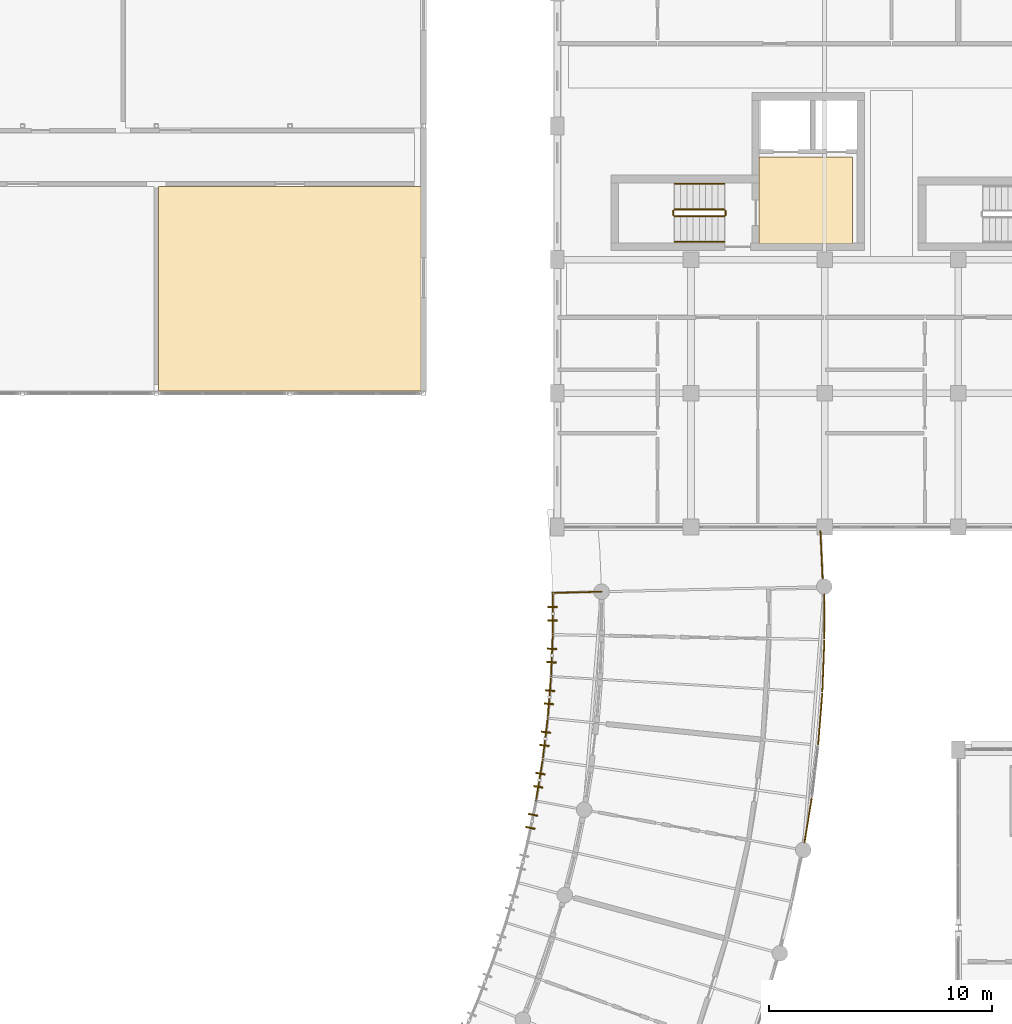
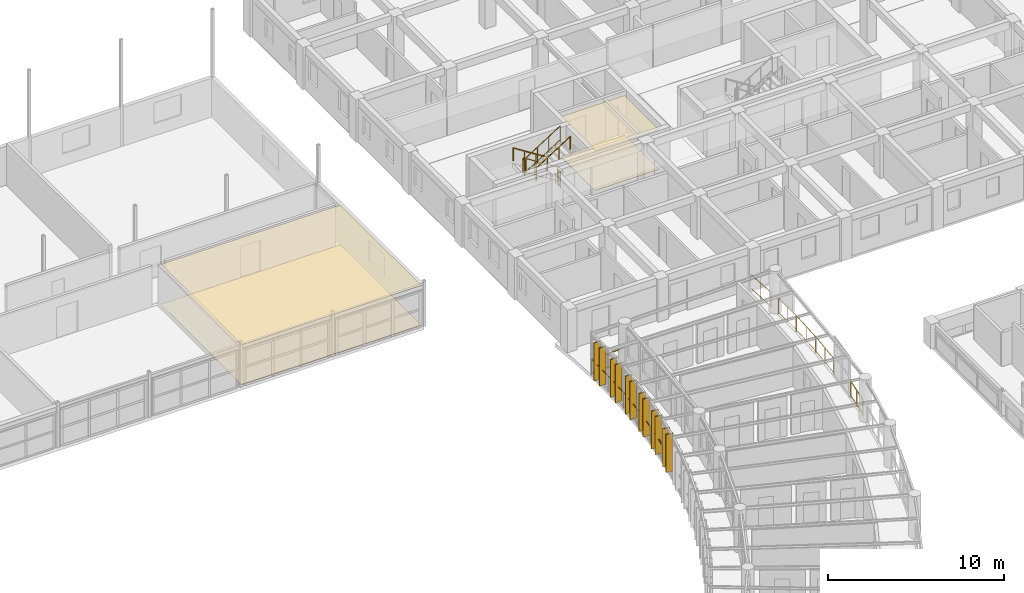
# One storey, part 129 of 137: 17 railings, 12 shading devices, 4 coverings.
"""IFC4 building model written with IfcOpenShell, lengths in metres."""

from ifc_helpers import new_model, si_unit, direction, frame, origin, origin_2d, place, context, subcontext, project, spatial, polyline, rectangle, circle, outline, extrude, material, layer, layer_set, type_object, element, save


model = new_model("IFC4")

# Units and contexts
model_context = context("Model", 3, precision=1e-05, world=origin(), true_north=direction((0.0, 1.0)))
body_context = subcontext(model_context, "Body", "Model", "MODEL_VIEW")
ifc_project = project(units=[si_unit("LENGTHUNIT", "METRE"), si_unit("AREAUNIT", "SQUARE_METRE"), si_unit("VOLUMEUNIT", "CUBIC_METRE"), si_unit("PLANEANGLEUNIT", "RADIAN"), si_unit("MASSUNIT", "GRAM", prefix="KILO"), si_unit("POWERUNIT", "WATT"), si_unit("THERMODYNAMICTEMPERATUREUNIT", "KELVIN")], contexts=[model_context])

# Site, building, storey
site_placement = place(None, origin())
site = spatial("IfcSite", under=ifc_project, at=site_placement, CompositionType="ELEMENT")
building_placement = place(site_placement, origin())
building = spatial("IfcBuilding", under=site, at=building_placement, Name="Ruvembo Vaulted Housing Court", CompositionType="ELEMENT")
storey_placement = place(building_placement, frame((0.0, 0.0, 4.5)))
storey = spatial("IfcBuildingStorey", under=building, at=storey_placement, Name="L01", CompositionType="ELEMENT", Elevation=4.5)

# Coverings
ifc_material_1 = material(Name="Perforated Mineral-Fibre Acoustic Tile", Category="gypsum")
ifc_layer_1 = layer(ifc_material_1, 0.02001953125, Name="Perforated Mineral-Fibre Acoustic Tile")
ifc_layer_set_1 = layer_set([ifc_layer_1], Name="Perforated Mineral-Fibre Acoustic Tile")
covering_type_1 = type_object("IfcCoveringType", Name="COV-CEIL-ACOUST", PredefinedType="CEILING", material=ifc_layer_set_1)
covering_1_placement = place(storey_placement, frame((0.0, 0.0, 2.75)))
element("IfcCovering", 1, at=covering_1_placement, inside=storey, type_object=covering_type_1, Name="Protected Core Lobby B1 Ceiling", PredefinedType="CEILING", context=body_context, shape_type="SweptSolid", body=[
    extrude(outline(polyline([(57.050048828125, 94.60009765625), (57.050048828125, 90.699951171875), (61.25, 90.699951171875), (61.25, 94.60009765625), (57.050048828125, 94.60009765625)])), origin(), (0.0, 0.0, 1.0), 0.02001953125),
])
covering_2_placement = place(storey_placement, frame((0.0, 0.0, 2.75)))
element("IfcCovering", 2, at=covering_2_placement, inside=storey, type_object=covering_type_1, Name="Parent Cooperative Workshop Ceiling", PredefinedType="CEILING", context=body_context, shape_type="SweptSolid", body=[
    extrude(outline(polyline([(41.889892578125, 84.110107421875), (41.889892578125, 93.2900390625), (30.110107421875, 93.2900390625), (30.110107421875, 84.110107421875), (35.889892578125, 84.110107421875), (36.110107421875, 84.110107421875), (41.889892578125, 84.110107421875)])), origin(), (0.0, 0.0, 1.0), 0.02001953125),
])
ifc_material_2 = material(Name="Polished Cement-Aggregate Terrazzo", Category="stone")
ifc_layer_2 = layer(ifc_material_2, 0.02197265625, Name="Polished Cement-Aggregate Terrazzo")
ifc_layer_set_2 = layer_set([ifc_layer_2], Name="Polished Cement-Aggregate Terrazzo")
covering_type_2 = type_object("IfcCoveringType", Name="COV-FLR-CERAMIC", PredefinedType="FLOORING", material=ifc_layer_set_2)
covering_3_placement = place(storey_placement, origin())
element("IfcCovering", 3, at=covering_3_placement, inside=storey, type_object=covering_type_2, Name="Protected Core Lobby B1 Flooring", PredefinedType="FLOORING", context=body_context, shape_type="SweptSolid", body=[
    extrude(outline(polyline([(57.050048828125, 94.60009765625), (57.050048828125, 90.699951171875), (61.25, 90.699951171875), (61.25, 94.60009765625), (57.050048828125, 94.60009765625)])), origin(), (0.0, 0.0, 1.0), 0.02197265625),
])
covering_4_placement = place(storey_placement, origin())
element("IfcCovering", 4, at=covering_4_placement, inside=storey, type_object=covering_type_2, Name="Parent Cooperative Workshop Flooring", PredefinedType="FLOORING", context=body_context, shape_type="SweptSolid", body=[
    extrude(outline(polyline([(41.889892578125, 84.110107421875), (41.889892578125, 93.2900390625), (30.110107421875, 93.2900390625), (30.110107421875, 84.110107421875), (35.889892578125, 84.110107421875), (36.110107421875, 84.110107421875), (41.889892578125, 84.110107421875)])), origin(), (0.0, 0.0, 1.0), 0.02197265625),
])

# Railings
ifc_material_3 = material(Name="Galvanised Painted Steel and Laminated Glass", Category="steel")
ifc_layer_3 = layer(ifc_material_3, 0.070068359375, Name="Galvanised Painted Steel and Laminated Glass")
ifc_layer_set_3 = layer_set([ifc_layer_3], Name="Galvanised Painted Steel and Laminated Glass")
railing_type_1 = type_object("IfcRailingType", Name="RL-BALUST-1120", PredefinedType="BALUSTRADE", material=ifc_layer_set_3)
railing_1_placement = place(storey_placement, frame((59.09716796875, 63.8408203125, 0.0)))
element("IfcRailing", 5, at=railing_1_placement, inside=storey, type_object=railing_type_1, Name="L01 Perimeter Guard RL-EXT-L01-0048", PredefinedType="BALUSTRADE", context=body_context, shape_type="SweptSolid", body=[
    extrude(circle(Radius=0.02392578125, at=origin_2d()), frame((0.0, 0.0, 1.09619140625), z_axis=(0.160952647664, 0.986962129572, 0.0), x_axis=(-0.986962129572, 0.160952647664, 0.0)), (0.0, 0.0, 1.0), 1.9765625),
    extrude(circle(Radius=0.01806640625, at=origin_2d()), frame((0.0, 0.0, 0.1201171875), z_axis=(0.160952647664, 0.986962129572, 0.0), x_axis=(-0.986962129572, 0.160952647664, 0.0)), (0.0, 0.0, 1.0), 1.9765625),
    extrude(circle(Radius=0.02099609375, at=origin_2d()), origin(), (0.0, 0.0, 1.0), 1.072021484375),
    extrude(circle(Radius=0.02099609375, at=origin_2d()), frame((0.1591796875, 0.975341796875, 0.0)), (0.0, 0.0, 1.0), 1.072021484375),
    extrude(circle(Radius=0.02099609375, at=origin_2d()), frame((0.318115234375, 1.95068359375, 0.0)), (0.0, 0.0, 1.0), 1.072021484375),
])
railing_2_placement = place(storey_placement, frame((59.71337890625, 68.249755859375, 0.0)))
element("IfcRailing", 6, at=railing_2_placement, inside=storey, type_object=railing_type_1, Name="L01 Perimeter Guard RL-EXT-L01-0049", PredefinedType="BALUSTRADE", context=body_context, shape_type="SweptSolid", body=[
    extrude(circle(Radius=0.02392578125, at=origin_2d()), frame((0.0, 0.0, 1.09619140625), z_axis=(0.079459662102, 0.996838082187, 0.0), x_axis=(-0.996838082187, 0.079459662102, 0.0)), (0.0, 0.0, 1.0), 2.276611328125),
    extrude(circle(Radius=0.01806640625, at=origin_2d()), frame((0.0, 0.0, 0.1201171875), z_axis=(0.079459662102, 0.996838082187, 0.0), x_axis=(-0.996838082187, 0.079459662102, 0.0)), (0.0, 0.0, 1.0), 2.276611328125),
    extrude(circle(Radius=0.02099609375, at=origin_2d()), origin(), (0.0, 0.0, 1.0), 1.072021484375),
    extrude(circle(Radius=0.02099609375, at=origin_2d()), frame((0.09033203125, 1.134765625, 0.0)), (0.0, 0.0, 1.0), 1.072021484375),
    extrude(circle(Radius=0.02099609375, at=origin_2d()), frame((0.180908203125, 2.26953125, 0.0)), (0.0, 0.0, 1.0), 1.072021484375),
])
railing_3_placement = place(storey_placement, frame((59.900390625, 70.618896484375, 0.0)))
element("IfcRailing", 7, at=railing_3_placement, inside=storey, type_object=railing_type_1, Name="L01 Perimeter Guard RL-EXT-L01-0050", PredefinedType="BALUSTRADE", context=body_context, shape_type="SweptSolid", body=[
    extrude(circle(Radius=0.02392578125, at=origin_2d()), frame((0.0, 0.0, 1.09619140625), z_axis=(0.038713176798, 0.999250363994, 0.0), x_axis=(-0.999250363994, 0.038713176798, 0.0)), (0.0, 0.0, 1.0), 2.276611328125),
    extrude(circle(Radius=0.01806640625, at=origin_2d()), frame((0.0, 0.0, 0.1201171875), z_axis=(0.038713176798, 0.999250363994, 0.0), x_axis=(-0.999250363994, 0.038713176798, 0.0)), (0.0, 0.0, 1.0), 2.276611328125),
    extrude(circle(Radius=0.02099609375, at=origin_2d()), origin(), (0.0, 0.0, 1.0), 1.072021484375),
    extrude(circle(Radius=0.02099609375, at=origin_2d()), frame((0.0439453125, 1.137451171875, 0.0)), (0.0, 0.0, 1.0), 1.072021484375),
    extrude(circle(Radius=0.02099609375, at=origin_2d()), frame((0.088134765625, 2.27490234375, 0.0)), (0.0, 0.0, 1.0), 1.072021484375),
])
railing_4_placement = place(storey_placement, frame((59.990234375, 72.993896484375, 0.0)))
element("IfcRailing", 8, at=railing_4_placement, inside=storey, type_object=railing_type_1, Name="L01 Perimeter Guard RL-EXT-L01-0051", PredefinedType="BALUSTRADE", context=body_context, shape_type="SweptSolid", body=[
    extrude(circle(Radius=0.02392578125, at=origin_2d()), frame((0.0, 0.0, 1.09619140625), z_axis=(-0.002223589314, 0.999997527822, 0.0), x_axis=(-0.999997527822, -0.002223589314, 0.0)), (0.0, 0.0, 1.0), 1.976318359375),
    extrude(circle(Radius=0.01806640625, at=origin_2d()), frame((0.0, 0.0, 0.1201171875), z_axis=(-0.002223589314, 0.999997527822, 0.0), x_axis=(-0.999997527822, -0.002223589314, 0.0)), (0.0, 0.0, 1.0), 1.976318359375),
    extrude(circle(Radius=0.02099609375, at=origin_2d()), origin(), (0.0, 0.0, 1.0), 1.072021484375),
    extrude(circle(Radius=0.02099609375, at=origin_2d()), frame((-0.002197265625, 0.98828125, 0.0)), (0.0, 0.0, 1.0), 1.072021484375),
    extrude(circle(Radius=0.02099609375, at=origin_2d()), frame((-0.00439453125, 1.976318359375, 0.0)), (0.0, 0.0, 1.0), 1.072021484375),
])
ifc_material_4 = material(Name="Galvanised Painted Steel S275", Category="steel")
ifc_layer_4 = layer(ifc_material_4, 0.06005859375, Name="Galvanised Painted Steel S275")
ifc_layer_set_4 = layer_set([ifc_layer_4], Name="Galvanised Painted Steel S275")
railing_type_2 = type_object("IfcRailingType", Name="RL-GUARD-1100", PredefinedType="GUARDRAIL", material=ifc_layer_set_4)
railing_5_placement = place(storey_placement, frame((47.04248046875, 65.704833984375, 0.0)))
element("IfcRailing", 9, at=railing_5_placement, inside=storey, type_object=railing_type_2, Name="L01 Perimeter Guard RL-EXT-L01-0031", PredefinedType="GUARDRAIL", context=body_context, shape_type="SweptSolid", body=[
    extrude(circle(Radius=0.02392578125, at=origin_2d()), frame((0.0, 0.0, 1.076171875), z_axis=(0.16093792822, 0.98696452989, 0.0), x_axis=(-0.98696452989, 0.16093792822, 0.0)), (0.0, 0.0, 1.0), 1.87646484375),
    extrude(circle(Radius=0.01806640625, at=origin_2d()), frame((0.0, 0.0, 0.1201171875), z_axis=(0.16093792822, 0.98696452989, 0.0), x_axis=(-0.98696452989, 0.16093792822, 0.0)), (0.0, 0.0, 1.0), 1.87646484375),
    extrude(circle(Radius=0.02099609375, at=origin_2d()), origin(), (0.0, 0.0, 1.0), 1.052001953125),
    extrude(circle(Radius=0.02099609375, at=origin_2d()), frame((0.15087890625, 0.926025390625, 0.0)), (0.0, 0.0, 1.0), 1.052001953125),
    extrude(circle(Radius=0.02099609375, at=origin_2d()), frame((0.302001953125, 1.85205078125, 0.0)), (0.0, 0.0, 1.0), 1.052001953125),
])
railing_6_placement = place(storey_placement, frame((47.344482421875, 67.556884765625, 0.0)))
element("IfcRailing", 10, at=railing_6_placement, inside=storey, type_object=railing_type_2, Name="L01 Perimeter Guard RL-EXT-L01-0032", PredefinedType="GUARDRAIL", context=body_context, shape_type="SweptSolid", body=[
    extrude(circle(Radius=0.02392578125, at=origin_2d()), frame((0.0, 0.0, 1.076171875), z_axis=(0.120335252624, 0.992733311104, 0.0), x_axis=(-0.992733311104, 0.120335252624, 0.0)), (0.0, 0.0, 1.0), 1.876708984375),
    extrude(circle(Radius=0.01806640625, at=origin_2d()), frame((0.0, 0.0, 0.1201171875), z_axis=(0.120335252624, 0.992733311104, 0.0), x_axis=(-0.992733311104, 0.120335252624, 0.0)), (0.0, 0.0, 1.0), 1.876708984375),
    extrude(circle(Radius=0.02099609375, at=origin_2d()), origin(), (0.0, 0.0, 1.0), 1.052001953125),
    extrude(circle(Radius=0.02099609375, at=origin_2d()), frame((0.11279296875, 0.931640625, 0.0)), (0.0, 0.0, 1.0), 1.052001953125),
    extrude(circle(Radius=0.02099609375, at=origin_2d()), frame((0.225830078125, 1.863037109375, 0.0)), (0.0, 0.0, 1.0), 1.052001953125),
])
railing_7_placement = place(storey_placement, frame((47.5703125, 69.419921875, 0.0)))
element("IfcRailing", 11, at=railing_7_placement, inside=storey, type_object=railing_type_2, Name="L01 Perimeter Guard RL-EXT-L01-0033", PredefinedType="GUARDRAIL", context=body_context, shape_type="SweptSolid", body=[
    extrude(circle(Radius=0.02392578125, at=origin_2d()), frame((0.0, 0.0, 1.076171875), z_axis=(0.079610795565, 0.996826023552, 0.0), x_axis=(-0.996826023552, 0.079610795565, 0.0)), (0.0, 0.0, 1.0), 1.876708984375),
    extrude(circle(Radius=0.01806640625, at=origin_2d()), frame((0.0, 0.0, 0.1201171875), z_axis=(0.079610795565, 0.996826023552, 0.0), x_axis=(-0.996826023552, 0.079610795565, 0.0)), (0.0, 0.0, 1.0), 1.876708984375),
    extrude(circle(Radius=0.02099609375, at=origin_2d()), origin(), (0.0, 0.0, 1.0), 1.052001953125),
    extrude(circle(Radius=0.02099609375, at=origin_2d()), frame((0.07470703125, 0.935546875, 0.0)), (0.0, 0.0, 1.0), 1.052001953125),
    extrude(circle(Radius=0.02099609375, at=origin_2d()), frame((0.1494140625, 1.870849609375, 0.0)), (0.0, 0.0, 1.0), 1.052001953125),
])
railing_8_placement = place(storey_placement, frame((47.7197265625, 71.290771484375, 0.0)))
element("IfcRailing", 12, at=railing_8_placement, inside=storey, type_object=railing_type_2, Name="L01 Perimeter Guard RL-EXT-L01-0034", PredefinedType="GUARDRAIL", context=body_context, shape_type="SweptSolid", body=[
    extrude(circle(Radius=0.02392578125, at=origin_2d()), frame((0.0, 0.0, 1.076171875), z_axis=(0.038767865725, 0.999248243725, 0.0), x_axis=(-0.999248243725, 0.038767865725, 0.0)), (0.0, 0.0, 1.0), 1.876708984375),
    extrude(circle(Radius=0.01806640625, at=origin_2d()), frame((0.0, 0.0, 0.1201171875), z_axis=(0.038767865725, 0.999248243725, 0.0), x_axis=(-0.999248243725, 0.038767865725, 0.0)), (0.0, 0.0, 1.0), 1.876708984375),
    extrude(circle(Radius=0.02099609375, at=origin_2d()), origin(), (0.0, 0.0, 1.0), 1.052001953125),
    extrude(circle(Radius=0.02099609375, at=origin_2d()), frame((0.036376953125, 0.9375, 0.0)), (0.0, 0.0, 1.0), 1.052001953125),
    extrude(circle(Radius=0.02099609375, at=origin_2d()), frame((0.07275390625, 1.875244140625, 0.0)), (0.0, 0.0, 1.0), 1.052001953125),
])
railing_9_placement = place(storey_placement, frame((47.79248046875, 73.166015625, 0.0)))
element("IfcRailing", 13, at=railing_9_placement, inside=storey, type_object=railing_type_2, Name="L01 Perimeter Guard RL-EXT-L01-0035", PredefinedType="GUARDRAIL", context=body_context, shape_type="SweptSolid", body=[
    extrude(circle(Radius=0.02392578125, at=origin_2d()), frame((0.0, 0.0, 1.076171875), z_axis=(-0.002341913952, 0.999997257716, 0.0), x_axis=(-0.999997257716, -0.002341913952, 0.0)), (0.0, 0.0, 1.0), 1.87646484375),
    extrude(circle(Radius=0.01806640625, at=origin_2d()), frame((0.0, 0.0, 0.1201171875), z_axis=(-0.002341913952, 0.999997257716, 0.0), x_axis=(-0.999997257716, -0.002341913952, 0.0)), (0.0, 0.0, 1.0), 1.87646484375),
    extrude(circle(Radius=0.02099609375, at=origin_2d()), origin(), (0.0, 0.0, 1.0), 1.052001953125),
    extrude(circle(Radius=0.02099609375, at=origin_2d()), frame((-0.002197265625, 0.938232421875, 0.0)), (0.0, 0.0, 1.0), 1.052001953125),
    extrude(circle(Radius=0.02099609375, at=origin_2d()), frame((-0.00439453125, 1.87646484375, 0.0)), (0.0, 0.0, 1.0), 1.052001953125),
])
railing_10_placement = place(storey_placement, frame((47.7880859375, 75.04248046875, 0.0)))
element("IfcRailing", 14, at=railing_10_placement, inside=storey, type_object=railing_type_2, Name="L01 Perimeter Guard RL-EXT-L01-0036", PredefinedType="GUARDRAIL", context=body_context, shape_type="SweptSolid", body=[
    extrude(circle(Radius=0.02392578125, at=origin_2d()), frame((0.0, 0.0, 1.076171875), z_axis=(0.999741204967, 0.022749133868, 0.0), x_axis=(-0.022749133868, 0.999741204967, 0.0)), (0.0, 0.0, 1.0), 2.199951171875),
    extrude(circle(Radius=0.01806640625, at=origin_2d()), frame((0.0, 0.0, 0.1201171875), z_axis=(0.999741204967, 0.022749133868, 0.0), x_axis=(-0.022749133868, 0.999741204967, 0.0)), (0.0, 0.0, 1.0), 2.199951171875),
    extrude(circle(Radius=0.02099609375, at=origin_2d()), origin(), (0.0, 0.0, 1.0), 1.052001953125),
    extrude(circle(Radius=0.02099609375, at=origin_2d()), frame((1.099609375, 0.02490234375, 0.0)), (0.0, 0.0, 1.0), 1.052001953125),
    extrude(circle(Radius=0.02099609375, at=origin_2d()), frame((2.199462890625, 0.050048828125, 0.0)), (0.0, 0.0, 1.0), 1.052001953125),
])
railing_11_placement = place(storey_placement, frame((59.811767578125, 77.81494140625, 0.0)))
element("IfcRailing", 15, at=railing_11_placement, inside=storey, type_object=railing_type_2, Name="L01 Perimeter Guard RL-EXT-L01-0887", PredefinedType="GUARDRAIL", context=body_context, shape_type="SweptSolid", body=[
    extrude(circle(Radius=0.02392578125, at=origin_2d()), frame((0.0, 0.0, 1.076171875), z_axis=(0.045626063619, -0.998958588891, 0.0), x_axis=(0.998958588891, 0.045626063619, 0.0)), (0.0, 0.0, 1.0), 2.129638671875),
    extrude(circle(Radius=0.01806640625, at=origin_2d()), frame((0.0, 0.0, 0.1201171875), z_axis=(0.045626063619, -0.998958588891, 0.0), x_axis=(0.998958588891, 0.045626063619, 0.0)), (0.0, 0.0, 1.0), 2.129638671875),
    extrude(circle(Radius=0.02099609375, at=origin_2d()), origin(), (0.0, 0.0, 1.0), 1.052001953125),
    extrude(circle(Radius=0.02099609375, at=origin_2d()), frame((0.048583984375, -1.063720703125, 0.0)), (0.0, 0.0, 1.0), 1.052001953125),
    extrude(circle(Radius=0.02099609375, at=origin_2d()), frame((0.09716796875, -2.12744140625, 0.0)), (0.0, 0.0, 1.0), 1.052001953125),
])
ifc_material_5 = material(Name="Painted Galvanised Steel S275", Category="steel")
ifc_layer_5 = layer(ifc_material_5, 0.06005859375, Name="Painted Galvanised Steel S275")
ifc_layer_set_5 = layer_set([ifc_layer_5], Name="Painted Galvanised Steel S275")
railing_type_3 = type_object("IfcRailingType", Name="RL-STAIR-GR1100", PredefinedType="GUARDRAIL", material=ifc_layer_set_5)
railing_12_placement = place(storey_placement, frame((55.5, 92.25, 0.177734375)))
element("IfcRailing", 16, at=railing_12_placement, inside=storey, type_object=railing_type_3, Name="L01 ST-B1 stair guard 1", PredefinedType="GUARDRAIL", context=body_context, shape_type="SweptSolid", body=[
    extrude(circle(Radius=0.02392578125, at=origin_2d()), frame((0.0, 0.0, 1.076171875), z_axis=(-0.84418770128, 0.0, 0.536047689118), x_axis=(0.0, -1.0, 0.0)), (0.0, 0.0, 1.0), 2.6533203125),
    extrude(circle(Radius=0.01806640625, at=origin_2d()), frame((0.0, 0.0, 0.1201171875), z_axis=(-0.84418770128, 0.0, 0.536047689118), x_axis=(0.0, -1.0, 0.0)), (0.0, 0.0, 1.0), 2.6533203125),
    extrude(circle(Radius=0.02099609375, at=origin_2d()), origin(), (0.0, 0.0, 1.0), 1.052001953125),
    extrude(circle(Radius=0.02099609375, at=origin_2d()), frame((-0.74658203125, 0.0, 0.47412109375)), (0.0, 0.0, 1.0), 1.052001953125),
    extrude(circle(Radius=0.02099609375, at=origin_2d()), frame((-1.493408203125, 0.0, 0.9482421875)), (0.0, 0.0, 1.0), 1.052001953125),
    extrude(circle(Radius=0.02099609375, at=origin_2d()), frame((-2.239990234375, 0.0, 1.42236328125)), (0.0, 0.0, 1.0), 1.052001953125),
])
railing_13_placement = place(storey_placement, frame((53.2099609375, 92.199951171875, 1.60009765625)))
element("IfcRailing", 17, at=railing_13_placement, inside=storey, type_object=railing_type_3, Name="L01 ST-B1 stair guard 2", PredefinedType="GUARDRAIL", context=body_context, shape_type="SweptSolid", body=[
    extrude(circle(Radius=0.02392578125, at=origin_2d()), frame((0.0, 0.0, 1.076171875), z_axis=(0.0, -1.0, 0.0), x_axis=(1.0, 0.0, 0.0)), (0.0, 0.0, 1.0), 0.199951171875),
    extrude(circle(Radius=0.01806640625, at=origin_2d()), frame((0.0, 0.0, 0.1201171875), z_axis=(0.0, -1.0, 0.0), x_axis=(1.0, 0.0, 0.0)), (0.0, 0.0, 1.0), 0.199951171875),
    extrude(circle(Radius=0.02099609375, at=origin_2d()), origin(), (0.0, 0.0, 1.0), 1.052001953125),
    extrude(circle(Radius=0.02099609375, at=origin_2d()), frame((0.0, -0.199951171875, 0.0)), (0.0, 0.0, 1.0), 1.052001953125),
])
railing_14_placement = place(storey_placement, frame((53.260009765625, 91.949951171875, 1.77783203125)))
element("IfcRailing", 18, at=railing_14_placement, inside=storey, type_object=railing_type_3, Name="L01 ST-B1 stair guard 3", PredefinedType="GUARDRAIL", context=body_context, shape_type="SweptSolid", body=[
    extrude(circle(Radius=0.02392578125, at=origin_2d()), frame((0.0, 0.0, 1.076171875), z_axis=(0.8442293374, 0.0, 0.53598211339), x_axis=(0.0, 1.0, 0.0)), (0.0, 0.0, 1.0), 2.6533203125),
    extrude(circle(Radius=0.01806640625, at=origin_2d()), frame((0.0, 0.0, 0.1201171875), z_axis=(0.8442293374, 0.0, 0.53598211339), x_axis=(0.0, 1.0, 0.0)), (0.0, 0.0, 1.0), 2.6533203125),
    extrude(circle(Radius=0.02099609375, at=origin_2d()), origin(), (0.0, 0.0, 1.0), 1.052001953125),
    extrude(circle(Radius=0.02099609375, at=origin_2d()), frame((0.74658203125, 0.0, 0.47412109375)), (0.0, 0.0, 1.0), 1.052001953125),
    extrude(circle(Radius=0.02099609375, at=origin_2d()), frame((1.493408203125, 0.0, 0.947998046875)), (0.0, 0.0, 1.0), 1.052001953125),
    extrude(circle(Radius=0.02099609375, at=origin_2d()), frame((2.239990234375, 0.0, 1.422119140625)), (0.0, 0.0, 1.0), 1.052001953125),
])
railing_15_placement = place(storey_placement, frame((55.550048828125, 92.199951171875, 0.0)))
element("IfcRailing", 19, at=railing_15_placement, inside=storey, type_object=railing_type_3, Name="L01 ST-B1 stair guard 4", PredefinedType="GUARDRAIL", context=body_context, shape_type="SweptSolid", body=[
    extrude(circle(Radius=0.02392578125, at=origin_2d()), frame((0.0, 0.0, 1.076171875), z_axis=(0.0, -1.0, 0.0), x_axis=(1.0, 0.0, 0.0)), (0.0, 0.0, 1.0), 0.199951171875),
    extrude(circle(Radius=0.01806640625, at=origin_2d()), frame((0.0, 0.0, 0.1201171875), z_axis=(0.0, -1.0, 0.0), x_axis=(1.0, 0.0, 0.0)), (0.0, 0.0, 1.0), 0.199951171875),
    extrude(circle(Radius=0.02099609375, at=origin_2d()), origin(), (0.0, 0.0, 1.0), 1.052001953125),
    extrude(circle(Radius=0.02099609375, at=origin_2d()), frame((0.0, -0.199951171875, 0.0)), (0.0, 0.0, 1.0), 1.052001953125),
])
ifc_material_6 = material(Name="Brushed Stainless Steel 304", Category="steel")
ifc_layer_6 = layer(ifc_material_6, 0.050048828125, Name="Brushed Stainless Steel 304")
ifc_layer_set_6 = layer_set([ifc_layer_6], Name="Brushed Stainless Steel 304")
railing_type_4 = type_object("IfcRailingType", Name="RL-STAIR-HR920", PredefinedType="HANDRAIL", material=ifc_layer_set_6)
railing_16_placement = place(storey_placement, frame((55.5, 93.39990234375, 0.359375)))
element("IfcRailing", 20, at=railing_16_placement, inside=storey, type_object=railing_type_4, Name="L01 ST-B1 stair handrail 1", PredefinedType="HANDRAIL", context=body_context, shape_type="SweptSolid", body=[
    extrude(circle(Radius=0.02392578125, at=origin_2d()), frame((0.0, 0.0, 0.8759765625), z_axis=(-0.8442293374, 0.0, 0.53598211339), x_axis=(0.0, -1.0, 0.0)), (0.0, 0.0, 1.0), 2.6533203125),
    extrude(circle(Radius=0.02099609375, at=origin_2d()), origin(), (0.0, 0.0, 1.0), 0.851806640625),
    extrude(circle(Radius=0.02099609375, at=origin_2d()), frame((-0.74658203125, 0.0, 0.47412109375)), (0.0, 0.0, 1.0), 0.851806640625),
    extrude(circle(Radius=0.02099609375, at=origin_2d()), frame((-1.493408203125, 0.0, 0.947998046875)), (0.0, 0.0, 1.0), 0.851806640625),
    extrude(circle(Radius=0.02099609375, at=origin_2d()), frame((-2.239990234375, 0.0, 1.422119140625)), (0.0, 0.0, 1.0), 0.851806640625),
])
railing_17_placement = place(storey_placement, frame((53.260009765625, 90.800048828125, 1.959228515625)))
element("IfcRailing", 21, at=railing_17_placement, inside=storey, type_object=railing_type_4, Name="L01 ST-B1 stair handrail 2", PredefinedType="HANDRAIL", context=body_context, shape_type="SweptSolid", body=[
    extrude(circle(Radius=0.02392578125, at=origin_2d()), frame((0.0, 0.0, 0.8759765625), z_axis=(0.84418770128, 0.0, 0.536047689118), x_axis=(0.0, 1.0, 0.0)), (0.0, 0.0, 1.0), 2.6533203125),
    extrude(circle(Radius=0.02099609375, at=origin_2d()), origin(), (0.0, 0.0, 1.0), 0.851806640625),
    extrude(circle(Radius=0.02099609375, at=origin_2d()), frame((0.74658203125, 0.0, 0.47412109375)), (0.0, 0.0, 1.0), 0.851806640625),
    extrude(circle(Radius=0.02099609375, at=origin_2d()), frame((1.493408203125, 0.0, 0.9482421875)), (0.0, 0.0, 1.0), 0.851806640625),
    extrude(circle(Radius=0.02099609375, at=origin_2d()), frame((2.239990234375, 0.0, 1.42236328125)), (0.0, 0.0, 1.0), 0.851806640625),
])

# Shading devices
ifc_material_7 = material(Name="Kiln-Fired Terracotta Extrusion", Category="masonry")
shading_device_type = type_object("IfcShadingDeviceType", Name="SHD-FIN-420", PredefinedType="USERDEFINED", material=ifc_material_7)
for number, where, z_axis, x_axis, name in (
    (22, (46.793212890625, 64.491943359375, 0.0498046875), (0.0, 0.0, 1.0), (0.979547164277, -0.201214693692, 0.0), "Terracotta Brise-Soleil Fin #27"),
    (23, (46.9140625, 65.07958984375, 0.0498046875), (0.0, 0.0, 1.0), (0.979547164277, -0.201214693692, 0.0), "Terracotta Brise-Soleil Fin #28"),
    (24, (47.145263671875, 66.3349609375, 0.0498046875), (0.0, 0.0, 1.0), (0.986957060278, -0.160983729511, 0.0), "Terracotta Brise-Soleil Fin #29"),
    (25, (47.24169921875, 66.927001953125, 0.0498046875), (0.0, 0.0, 1.0), (0.986957060278, -0.160983729511, 0.0), "Terracotta Brise-Soleil Fin #30"),
    (26, (47.42138671875, 68.190673828125, 0.0498046875), (0.0, 0.0, 1.0), (0.992734259016, -0.120327432347, 0.0), "Terracotta Brise-Soleil Fin #31"),
    (27, (47.49365234375, 68.786376953125, 0.0498046875), (0.0, 0.0, 1.0), (0.992734259016, -0.120327432347, 0.0), "Terracotta Brise-Soleil Fin #32"),
    (28, (47.62109375, 70.056396484375, 0.0498046875), (0.0, 0.0, 1.0), (0.996826293951, -0.079607409749, 0.0), "Terracotta Brise-Soleil Fin #33"),
    (29, (47.6689453125, 70.654296875, 0.0498046875), (0.0, 0.0, 1.0), (0.996826293951, -0.079607409749, 0.0), "Terracotta Brise-Soleil Fin #34"),
    (30, (47.744384765625, 71.928466796875, 0.0498046875), (0.0, 0.0, 1.0), (0.999251482534, -0.038684294669, 0.0), "Terracotta Brise-Soleil Fin #35"),
    (31, (47.767578125, 72.528076171875, 0.0498046875), (0.0, 0.0, 1.0), (0.999251482534, -0.038684294669, 0.0), "Terracotta Brise-Soleil Fin #36"),
    (32, (47.791015625, 73.80419921875, 0.0498046875), (0.0, 0.0, 1.0), (0.999997386231, 0.002286379328, 0.0), "Terracotta Brise-Soleil Fin #37"),
    (33, (47.78955078125, 74.404296875, 0.0498046875), (0.0, 0.0, 1.0), (0.999997386231, 0.002286379328, 0.0), "Terracotta Brise-Soleil Fin #38"),
):
    element("IfcShadingDevice", number, at=place(storey_placement, frame(where, z_axis=z_axis, x_axis=x_axis)), inside=storey, type_object=shading_device_type, Name=name, ObjectType="FIN", PredefinedType="USERDEFINED", context=body_context, shape_type="SweptSolid", body=[
        extrude(rectangle(XDim=0.419921875, YDim=0.06494140625, at=origin_2d()), origin(), (0.0, 0.0, 1.0), 2.633056640625),
    ])

save(model, "model.ifc")
